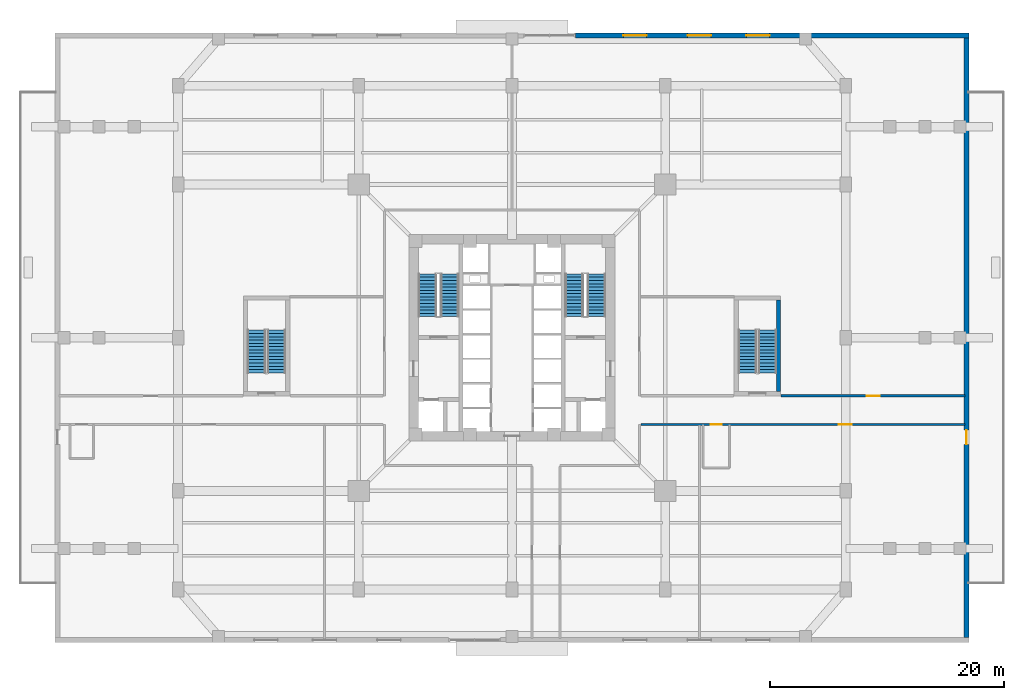
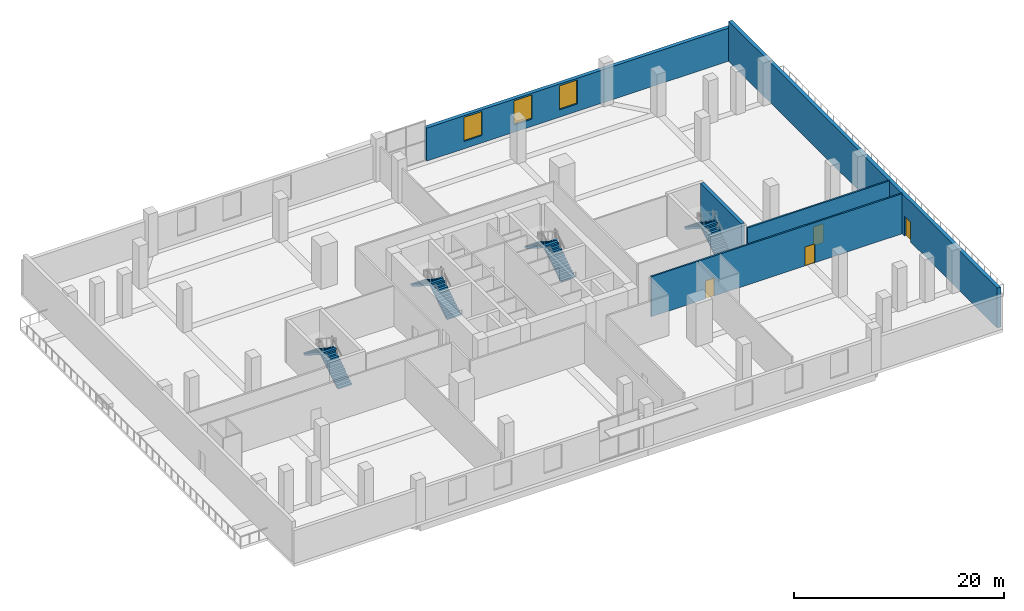
# One storey, part 9 of 17: 8 stair flights, 5 walls, 4 doors, 3 windows, 7 openings, 4 elements without a shape of their own.
"""IFC4 building model written with IfcOpenShell, lengths in metres."""

from ifc_helpers import new_model, si_unit, direction, frame, frame_2d, origin, place, context, subcontext, project, spatial, polyline, rectangle, outline, extrude, source, transform, mapped, material, layer, layer_set, type_object, element, fill, aggregate, save


model = new_model("IFC4")

# Units and contexts
model_context = context("Model", 3, precision=1e-05, world=origin(), true_north=direction((0.0, 1.0)))
body_context = subcontext(model_context, "Body", "Model", "MODEL_VIEW")
ifc_project = project(units=[si_unit("LENGTHUNIT", "METRE"), si_unit("AREAUNIT", "SQUARE_METRE"), si_unit("VOLUMEUNIT", "CUBIC_METRE"), si_unit("PLANEANGLEUNIT", "RADIAN"), si_unit("MASSUNIT", "GRAM", prefix="KILO"), si_unit("THERMODYNAMICTEMPERATUREUNIT", "KELVIN")], contexts=[model_context])

# Site, building, storey
site_placement = place(None, origin())
site = spatial("IfcSite", under=ifc_project, at=site_placement, CompositionType="ELEMENT")
building_placement = place(site_placement, origin())
building = spatial("IfcBuilding", under=site, at=building_placement, Name="Kosmvard Interchange Tower", CompositionType="ELEMENT")
storey_placement = place(building_placement, frame((0.0, 0.0, 6.0)))
storey = spatial("IfcBuildingStorey", under=building, at=storey_placement, Name="L01", CompositionType="ELEMENT", Elevation=6.0)

# Wall, openings, doors
ifc_material_1 = material(Name="Fire-rated gypsum partition system")
ifc_layer_1 = layer(ifc_material_1, 0.179931640625, Name="Fire-rated gypsum partition system")
ifc_layer_set_1 = layer_set([ifc_layer_1], Name="Fire-rated gypsum partition system")
wall_type_1 = type_object("IfcWallType", Name="Corridor & Hotel Compartment Partition 180", PredefinedType="PARTITIONING", material=ifc_layer_set_1)
wall_1_placement = place(storey_placement, frame((11.0, -7.39990234375, 0.0), z_axis=(0.0, 0.0, 1.0), x_axis=(1.0, 0.0, 0.0)))
wall_1 = element("IfcWall", 1, at=wall_1_placement, inside=storey, type_object=wall_type_1, Name="L01 Corridor Wall SES", PredefinedType="PARTITIONING", context=body_context, shape_type="SweptSolid", body=[
    extrude(rectangle(XDim=27.6650390625, YDim=0.179931640625, at=frame_2d((13.83251953125, 0.0))), origin(), (0.0, 0.0, 1.0), 4.659912109375),
])
opening_1_placement = place(wall_1_placement, frame((5.961181640625, 0.0, 0.0)))
opening_1 = element("IfcOpeningElement", 2, at=opening_1_placement, cuts=wall_1, Name="Opening L01-D02", PredefinedType="OPENING", context=body_context, shape_type="SweptSolid", body=[
    extrude(rectangle(XDim=0.949951171875, YDim=2.10009765625, at=frame_2d((0.47509765625, 1.050048828125))), frame((0.0, 0.10009765625, 0.0), z_axis=(0.0, -1.0, 0.0), x_axis=(1.0, 0.0, 0.0)), (0.0, 0.0, 1.0), 0.199951171875),
])
opening_2_placement = place(wall_1_placement, frame((16.892578125, 0.0, 0.0)))
opening_2 = element("IfcOpeningElement", 3, at=opening_2_placement, cuts=wall_1, Name="Opening L01-D10", PredefinedType="OPENING", context=body_context, shape_type="SweptSolid", body=[
    extrude(rectangle(XDim=1.10009765625, YDim=2.199951171875, at=frame_2d((0.550048828125, 1.10009765625))), frame((0.0, 0.10009765625, 0.0), z_axis=(0.0, -1.0, 0.0), x_axis=(1.0, 0.0, 0.0)), (0.0, 0.0, 1.0), 0.199951171875),
])
ifc_material_2 = material(Name="Laminated moisture-resistant timber", Category="wood")
door_type_1 = type_object("IfcDoorType", Name="Accessible Washroom Door 950x2100", OperationType="NOTDEFINED", PredefinedType="DOOR", material=ifc_material_2)
shared_shape_1 = source(origin(), body_context, "Body", "SweptSolid", [
    extrude(rectangle(XDim=0.949951171875, YDim=2.10009765625, at=frame_2d((0.47509765625, 1.050048828125))), frame((0.0, 0.02490234375, 0.0), z_axis=(0.0, -1.0, 0.0), x_axis=(1.0, 0.0, 0.0)), (0.0, 0.0, 1.0), 0.050048828125),
])
door_1_placement = place(opening_1_placement, frame((0.949951171875, 0.0, 0.0), z_axis=(0.0, 0.0, 1.0), x_axis=(-1.0, 0.0, 0.0)))
door_1 = element("IfcDoor", 4, at=door_1_placement, inside=storey, type_object=door_type_1, Name="L01 Public Floor Washroom Door", OperationType="SINGLE_SWING_RIGHT", OverallHeight=2.10009765625, OverallWidth=0.949951171875, PredefinedType="DOOR", context=body_context, shape_type="MappedRepresentation", body=[
    mapped(shared_shape_1, transform((0.0, 0.0, 0.0), scale=1.0)),
])
fill(opening_1, door_1)
ifc_material_3 = material(Name="Engineered oak fire-rated timber", Category="wood")
door_type_2 = type_object("IfcDoorType", Name="Office Suite Entrance Door 1100x2200 FD30S", OperationType="NOTDEFINED", PredefinedType="DOOR", material=ifc_material_3)
shared_shape_2 = source(origin(), body_context, "Body", "SweptSolid", [
    extrude(rectangle(XDim=1.10009765625, YDim=2.199951171875, at=frame_2d((0.550048828125, 1.10009765625))), frame((0.0, 0.02490234375, 0.0), z_axis=(0.0, -1.0, 0.0), x_axis=(1.0, 0.0, 0.0)), (0.0, 0.0, 1.0), 0.050048828125),
])
door_2_placement = place(opening_2_placement, frame((1.10009765625, 0.0, 0.0), z_axis=(0.0, 0.0, 1.0), x_axis=(-1.0, 0.0, 0.0)))
door_2 = element("IfcDoor", 5, at=door_2_placement, inside=storey, type_object=door_type_2, Name="L01 L01 East Cascade Terrace Shop Door", OperationType="SINGLE_SWING_RIGHT", OverallHeight=2.199951171875, OverallWidth=1.10009765625, PredefinedType="DOOR", context=body_context, shape_type="MappedRepresentation", body=[
    mapped(shared_shape_2, transform((0.0, 0.0, 0.0), scale=1.0)),
])
fill(opening_2, door_2)

# Wall, opening, door
wall_2_placement = place(storey_placement, frame((22.97998046875, -4.9599609375, 0.0), z_axis=(0.0, 0.0, 1.0), x_axis=(1.0, 0.0, 0.0)))
wall_2 = element("IfcWall", 6, at=wall_2_placement, inside=storey, type_object=wall_type_1, Name="L01 Corridor Wall SEN2", PredefinedType="PARTITIONING", context=body_context, shape_type="SweptSolid", body=[
    extrude(rectangle(XDim=15.68505859375, YDim=0.179931640625, at=frame_2d((7.842529296875, 0.0))), origin(), (0.0, 0.0, 1.0), 4.659912109375),
])
opening_3_placement = place(wall_2_placement, frame((7.29248046875, 0.0, 0.0)))
opening_3 = element("IfcOpeningElement", 7, at=opening_3_placement, cuts=wall_2, Name="Opening L01-D04", PredefinedType="OPENING", context=body_context, shape_type="SweptSolid", body=[
    extrude(rectangle(XDim=1.10009765625, YDim=2.199951171875, at=frame_2d((0.550048828125, 1.10009765625))), frame((0.0, 0.10009765625, 0.0), z_axis=(0.0, -1.0, 0.0), x_axis=(1.0, 0.0, 0.0)), (0.0, 0.0, 1.0), 0.199951171875),
])
door_3_placement = place(opening_3_placement, origin())
door_3 = element("IfcDoor", 8, at=door_3_placement, inside=storey, type_object=door_type_2, Name="L01 L01 Interchange Departure Lounge Door", OperationType="SINGLE_SWING_RIGHT", OverallHeight=2.199951171875, OverallWidth=1.10009765625, PredefinedType="DOOR", context=body_context, shape_type="MappedRepresentation", body=[
    mapped(shared_shape_2, transform((0.0, 0.0, 0.0), scale=1.0)),
])
fill(opening_3, door_3)

# Wall, openings, windows
ifc_material_4 = material(Name="Precast concrete C45/55", Category="concrete")
ifc_layer_2 = layer(ifc_material_4, 0.39990234375, Name="Precast concrete C45/55")
ifc_layer_set_2 = layer_set([ifc_layer_2], Name="Precast concrete C45/55")
wall_type_2 = type_object("IfcWallType", Name="Podium Precast Stone Pier Wall 400 C45/55", PredefinedType="STANDARD", material=ifc_layer_set_2)
wall_3_placement = place(storey_placement, frame((5.39990234375, 25.800048828125, 0.0), z_axis=(0.0, 0.0, 1.0), x_axis=(1.0, 0.0, 0.0)))
wall_3 = element("IfcWall", 9, at=wall_3_placement, inside=storey, type_object=wall_type_2, Name="L01 Podium Precast Wall EW-N2", PredefinedType="STANDARD", context=body_context, shape_type="SweptSolid", body=[
    extrude(rectangle(XDim=33.60009765625, YDim=0.39990234375, at=frame_2d((16.800048828125, 0.0))), origin(), (0.0, 0.0, 1.0), 3.85009765625),
])
opening_4_placement = place(wall_3_placement, frame((4.10009765625, 0.0, 0.85009765625)))
opening_4 = element("IfcOpeningElement", 10, at=opening_4_placement, cuts=wall_3, Name="Opening L01-W10", PredefinedType="OPENING", context=body_context, shape_type="SweptSolid", body=[
    extrude(rectangle(XDim=2.0, YDim=2.800048828125, at=frame_2d((1.0, 1.39990234375))), frame((0.0, 0.2099609375, 0.0), z_axis=(0.0, -1.0, 0.0), x_axis=(1.0, 0.0, 0.0)), (0.0, 0.0, 1.0), 0.419921875),
])
opening_5_placement = place(wall_3_placement, frame((9.60009765625, 0.0, 0.85009765625)))
opening_5 = element("IfcOpeningElement", 11, at=opening_5_placement, cuts=wall_3, Name="Opening L01-W11", PredefinedType="OPENING", context=body_context, shape_type="SweptSolid", body=[
    extrude(rectangle(XDim=2.0, YDim=2.800048828125, at=frame_2d((1.0, 1.39990234375))), frame((0.0, 0.2099609375, 0.0), z_axis=(0.0, -1.0, 0.0), x_axis=(1.0, 0.0, 0.0)), (0.0, 0.0, 1.0), 0.419921875),
])
opening_6_placement = place(wall_3_placement, frame((14.60009765625, 0.0, 0.85009765625)))
opening_6 = element("IfcOpeningElement", 12, at=opening_6_placement, cuts=wall_3, Name="Opening L01-W12", PredefinedType="OPENING", context=body_context, shape_type="SweptSolid", body=[
    extrude(rectangle(XDim=2.0, YDim=2.800048828125, at=frame_2d((1.0, 1.39990234375))), frame((0.0, 0.2099609375, 0.0), z_axis=(0.0, -1.0, 0.0), x_axis=(1.0, 0.0, 0.0)), (0.0, 0.0, 1.0), 0.419921875),
])
ifc_material_5 = material(Name="Low-E solar-control double glazing", Category="glass")
window_type = type_object("IfcWindowType", Name="Podium Lounge Punched Window 2000x2800", PartitioningType="SINGLE_PANEL", PredefinedType="WINDOW", material=ifc_material_5)
shared_shape_3 = source(origin(), body_context, "Body", "SweptSolid", [
    extrude(rectangle(XDim=2.0, YDim=2.800048828125, at=frame_2d((1.0, 1.39990234375))), frame((0.0, 0.030029296875, 0.0), z_axis=(0.0, -1.0, 0.0), x_axis=(1.0, 0.0, 0.0)), (0.0, 0.0, 1.0), 0.06005859375),
])
window_1_placement = place(opening_4_placement, origin())
window_1 = element("IfcWindow", 13, at=window_1_placement, inside=storey, type_object=window_type, Name="L01 Podium Window 10", OverallHeight=2.800048828125, OverallWidth=2.0, PartitioningType="SINGLE_PANEL", PredefinedType="WINDOW", context=body_context, shape_type="MappedRepresentation", body=[
    mapped(shared_shape_3, transform((0.0, 0.0, 0.0), scale=1.0)),
])
fill(opening_4, window_1)
window_2_placement = place(opening_5_placement, origin())
window_2 = element("IfcWindow", 14, at=window_2_placement, inside=storey, type_object=window_type, Name="L01 Podium Window 11", OverallHeight=2.800048828125, OverallWidth=2.0, PartitioningType="SINGLE_PANEL", PredefinedType="WINDOW", context=body_context, shape_type="MappedRepresentation", body=[
    mapped(shared_shape_3, transform((0.0, 0.0, 0.0), scale=1.0)),
])
fill(opening_5, window_2)
window_3_placement = place(opening_6_placement, origin())
window_3 = element("IfcWindow", 15, at=window_3_placement, inside=storey, type_object=window_type, Name="L01 Podium Window 12", OverallHeight=2.800048828125, OverallWidth=2.0, PartitioningType="SINGLE_PANEL", PredefinedType="WINDOW", context=body_context, shape_type="MappedRepresentation", body=[
    mapped(shared_shape_3, transform((0.0, 0.0, 0.0), scale=1.0)),
])
fill(opening_6, window_3)

# Wall, opening, door
wall_4_placement = place(storey_placement, frame((38.800048828125, -25.60009765625, 0.0), z_axis=(0.0, 0.0, 1.0), x_axis=(0.0, 1.0, 0.0)))
wall_4 = element("IfcWall", 16, at=wall_4_placement, inside=storey, type_object=wall_type_2, Name="L01 Podium Precast Wall EW-E", PredefinedType="STANDARD", context=body_context, shape_type="SweptSolid", body=[
    extrude(rectangle(XDim=51.2001953125, YDim=0.39990234375, at=frame_2d((25.60009765625, 0.0))), origin(), (0.0, 0.0, 1.0), 4.659912109375),
])
opening_7_placement = place(wall_4_placement, frame((16.5, 0.0, 0.0)))
opening_7 = element("IfcOpeningElement", 17, at=opening_7_placement, cuts=wall_4, Name="Opening L01-TDE", PredefinedType="OPENING", context=body_context, shape_type="SweptSolid", body=[
    extrude(rectangle(XDim=1.199951171875, YDim=2.300048828125, at=frame_2d((0.60009765625, 1.14990234375))), frame((0.0, 0.2099609375, 0.0), z_axis=(0.0, -1.0, 0.0), x_axis=(1.0, 0.0, 0.0)), (0.0, 0.0, 1.0), 0.419921875),
])
ifc_material_6 = material(Name="Anodised aluminium and safety glass", Category="aluminium")
door_type_3 = type_object("IfcDoorType", Name="Cascade Terrace Glazed Door 1200x2300", OperationType="NOTDEFINED", PredefinedType="DOOR", material=ifc_material_6)
shared_shape_4 = source(origin(), body_context, "Body", "SweptSolid", [
    extrude(rectangle(XDim=1.199951171875, YDim=2.300048828125, at=frame_2d((0.60009765625, 1.14990234375))), frame((0.0, 0.02490234375, 0.0), z_axis=(0.0, -1.0, 0.0), x_axis=(1.0, 0.0, 0.0)), (0.0, 0.0, 1.0), 0.050048828125),
])
door_4_placement = place(opening_7_placement, origin())
door_4 = element("IfcDoor", 18, at=door_4_placement, inside=storey, type_object=door_type_3, Name="L01 East Cascading Terrace Door", OperationType="SINGLE_SWING_RIGHT", OverallHeight=2.300048828125, OverallWidth=1.199951171875, PredefinedType="DOOR", context=body_context, shape_type="MappedRepresentation", body=[
    mapped(shared_shape_4, transform((0.0, 0.0, 0.0), scale=1.0)),
])
fill(opening_7, door_4)

# Wall
ifc_material_7 = material(Name="Concrete C60/75", Category="concrete")
ifc_layer_3 = layer(ifc_material_7, 0.360107421875, Name="Concrete C60/75")
ifc_layer_set_3 = layer_set([ifc_layer_3], Name="Concrete C60/75")
wall_type_3 = type_object("IfcWallType", Name="Stair & Lift Shaft Shear Wall 360 C60/75", PredefinedType="SHEAR", material=ifc_layer_set_3)
wall_5_placement = place(storey_placement, frame((22.760009765625, -4.60009765625, 0.0), z_axis=(0.0, 0.0, 1.0), x_axis=(0.0, 1.0, 0.0)))
element("IfcWall", 19, at=wall_5_placement, inside=storey, type_object=wall_type_3, Name="L01 Podium Stair Shear Wall ST4E", PredefinedType="SHEAR", context=body_context, shape_type="SweptSolid", body=[
    extrude(rectangle(XDim=7.800048828125, YDim=0.360107421875, at=frame_2d((3.89990234375, 0.0))), origin(), (0.0, 0.0, 1.0), 5.0),
])

# Stair, stair flights
ifc_material_8 = material(Name="Concrete C50/60", Category="concrete")
stair_type = type_object("IfcStairType", Name="Dog-Leg Core Exit Stair H5000 C50/60", PredefinedType="HALF_TURN_STAIR", material=ifc_material_8)
stair_1_placement = place(storey_placement, origin())
stair_1 = element("IfcStair", 20, at=stair_1_placement, inside=storey, type_object=stair_type, Name="L01 Protected Exit Stair ST-1", PredefinedType="HALF_TURN_STAIR")
stair_flight_type = type_object("IfcStairFlightType", Name="Core Stair Flight W1550 H5000 C50/60", PredefinedType="STRAIGHT", material=ifc_material_8)
shared_shape_5 = source(origin(), body_context, "Body", "SweptSolid", [
    extrude(outline(polyline([(0.0, 0.0), (0.0, 0.178466796875), (0.280029296875, 0.178466796875), (0.280029296875, 0.357177734375), (0.56005859375, 0.357177734375), (0.56005859375, 0.53564453125), (0.840087890625, 0.53564453125), (0.840087890625, 0.71435546875), (1.1201171875, 0.71435546875), (1.1201171875, 0.892822265625), (1.39990234375, 0.892822265625), (1.39990234375, 1.071533203125), (1.679931640625, 1.071533203125), (1.679931640625, 1.25), (1.9599609375, 1.25), (1.9599609375, 1.428466796875), (2.239990234375, 1.428466796875), (2.239990234375, 1.607177734375), (2.52001953125, 1.607177734375), (2.52001953125, 1.78564453125), (2.800048828125, 1.78564453125), (2.800048828125, 1.96435546875), (3.080078125, 1.96435546875), (3.080078125, 2.142822265625), (3.360107421875, 2.142822265625), (3.360107421875, 2.321533203125), (3.639892578125, 2.321533203125), (3.639892578125, 2.5), (3.639892578125, 2.1318359375), (0.29736328125, 0.0), (0.0, 0.0)])), frame((0.0, 0.77490234375, 0.0), z_axis=(0.0, -1.0, 0.0), x_axis=(1.0, 0.0, 0.0)), (0.0, 0.0, 1.0), 1.550048828125),
])
stair_flight_1_placement = place(storey_placement, frame((-5.31494140625, 1.800048828125, 0.0), z_axis=(0.0, 0.0, 1.0), x_axis=(0.0, 1.0, 0.0)))
stair_flight_1 = element("IfcStairFlight", 21, at=stair_flight_1_placement, type_object=stair_flight_type, Name="ST-1 flight 1", NumberOfRisers=14, NumberOfTreads=13, PredefinedType="STRAIGHT", RiserHeight=0.178571429, TreadLength=0.28, context=body_context, shape_type="MappedRepresentation", body=[
    mapped(shared_shape_5, transform((0.0, 0.0, 0.0), scale=1.0)),
])
stair_flight_2_placement = place(storey_placement, frame((-7.22509765625, 5.43994140625, 2.5), z_axis=(0.0, 0.0, 1.0), x_axis=(0.0, -1.0, 0.0)))
stair_flight_2 = element("IfcStairFlight", 22, at=stair_flight_2_placement, type_object=stair_flight_type, Name="ST-1 flight 2", NumberOfRisers=14, NumberOfTreads=13, PredefinedType="STRAIGHT", RiserHeight=0.178571429, TreadLength=0.28, context=body_context, shape_type="MappedRepresentation", body=[
    mapped(shared_shape_5, transform((0.0, 0.0, 0.0), scale=1.0)),
])
aggregate(stair_1, [stair_flight_1, stair_flight_2])

stair_2_placement = place(storey_placement, origin())
stair_2 = element("IfcStair", 23, at=stair_2_placement, inside=storey, type_object=stair_type, Name="L01 Protected Exit Stair ST-2", PredefinedType="HALF_TURN_STAIR")
stair_flight_3_placement = place(storey_placement, frame((7.22509765625, 1.800048828125, 0.0), z_axis=(0.0, 0.0, 1.0), x_axis=(0.0, 1.0, 0.0)))
stair_flight_3 = element("IfcStairFlight", 24, at=stair_flight_3_placement, type_object=stair_flight_type, Name="ST-2 flight 1", NumberOfRisers=14, NumberOfTreads=13, PredefinedType="STRAIGHT", RiserHeight=0.178571429, TreadLength=0.28, context=body_context, shape_type="MappedRepresentation", body=[
    mapped(shared_shape_5, transform((0.0, 0.0, 0.0), scale=1.0)),
])
stair_flight_4_placement = place(storey_placement, frame((5.31494140625, 5.43994140625, 2.5), z_axis=(0.0, 0.0, 1.0), x_axis=(0.0, -1.0, 0.0)))
stair_flight_4 = element("IfcStairFlight", 25, at=stair_flight_4_placement, type_object=stair_flight_type, Name="ST-2 flight 2", NumberOfRisers=14, NumberOfTreads=13, PredefinedType="STRAIGHT", RiserHeight=0.178571429, TreadLength=0.28, context=body_context, shape_type="MappedRepresentation", body=[
    mapped(shared_shape_5, transform((0.0, 0.0, 0.0), scale=1.0)),
])
aggregate(stair_2, [stair_flight_3, stair_flight_4])

stair_3_placement = place(storey_placement, origin())
stair_3 = element("IfcStair", 26, at=stair_3_placement, inside=storey, type_object=stair_type, Name="L01 Podium Concourse Stair ST-3", PredefinedType="HALF_TURN_STAIR")
stair_flight_5_placement = place(storey_placement, frame((-20.094970703125, -3.0, 0.0), z_axis=(0.0, 0.0, 1.0), x_axis=(0.0, 1.0, 0.0)))
stair_flight_5 = element("IfcStairFlight", 27, at=stair_flight_5_placement, type_object=stair_flight_type, Name="ST-3 flight 1", NumberOfRisers=14, NumberOfTreads=13, PredefinedType="STRAIGHT", RiserHeight=0.178571429, TreadLength=0.28, context=body_context, shape_type="MappedRepresentation", body=[
    mapped(shared_shape_5, transform((0.0, 0.0, 0.0), scale=1.0)),
])
stair_flight_6_placement = place(storey_placement, frame((-21.804931640625, 0.639892578125, 2.5), z_axis=(0.0, 0.0, 1.0), x_axis=(0.0, -1.0, 0.0)))
stair_flight_6 = element("IfcStairFlight", 28, at=stair_flight_6_placement, type_object=stair_flight_type, Name="ST-3 flight 2", NumberOfRisers=14, NumberOfTreads=13, PredefinedType="STRAIGHT", RiserHeight=0.178571429, TreadLength=0.28, context=body_context, shape_type="MappedRepresentation", body=[
    mapped(shared_shape_5, transform((0.0, 0.0, 0.0), scale=1.0)),
])
aggregate(stair_3, [stair_flight_5, stair_flight_6])

stair_4_placement = place(storey_placement, origin())
stair_4 = element("IfcStair", 29, at=stair_4_placement, inside=storey, type_object=stair_type, Name="L01 Podium Concourse Stair ST-4", PredefinedType="HALF_TURN_STAIR")
stair_flight_7_placement = place(storey_placement, frame((21.804931640625, -3.0, 0.0), z_axis=(0.0, 0.0, 1.0), x_axis=(0.0, 1.0, 0.0)))
stair_flight_7 = element("IfcStairFlight", 30, at=stair_flight_7_placement, type_object=stair_flight_type, Name="ST-4 flight 1", NumberOfRisers=14, NumberOfTreads=13, PredefinedType="STRAIGHT", RiserHeight=0.178571429, TreadLength=0.28, context=body_context, shape_type="MappedRepresentation", body=[
    mapped(shared_shape_5, transform((0.0, 0.0, 0.0), scale=1.0)),
])
stair_flight_8_placement = place(storey_placement, frame((20.094970703125, 0.639892578125, 2.5), z_axis=(0.0, 0.0, 1.0), x_axis=(0.0, -1.0, 0.0)))
stair_flight_8 = element("IfcStairFlight", 31, at=stair_flight_8_placement, type_object=stair_flight_type, Name="ST-4 flight 2", NumberOfRisers=14, NumberOfTreads=13, PredefinedType="STRAIGHT", RiserHeight=0.178571429, TreadLength=0.28, context=body_context, shape_type="MappedRepresentation", body=[
    mapped(shared_shape_5, transform((0.0, 0.0, 0.0), scale=1.0)),
])
aggregate(stair_4, [stair_flight_7, stair_flight_8])

save(model, "model.ifc")
